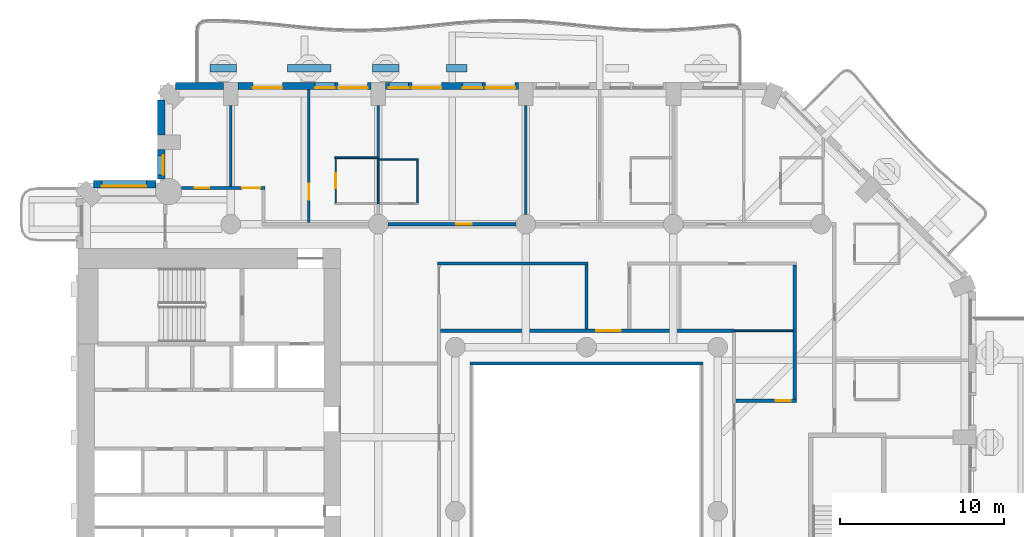
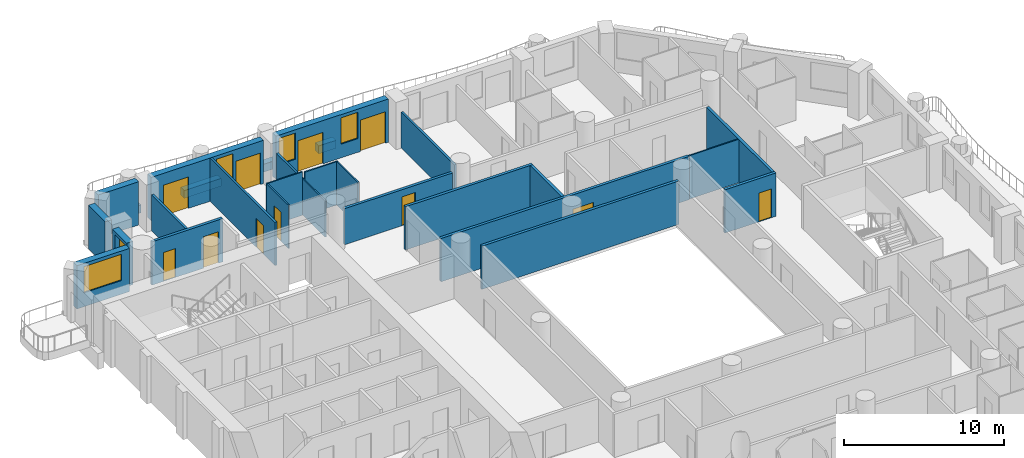
# One storey, part 8 of 20: 28 walls, 11 doors, 5 windows, 16 openings.
"""IFC4 building model written with IfcOpenShell, lengths in metres."""

from ifc_helpers import new_model, si_unit, direction, frame, frame_2d, origin, place, context, subcontext, project, spatial, rectangle, extrude, material, layer, layer_set, type_object, element, fill, save


model = new_model("IFC4")

# Units and contexts
model_context = context("Model", 3, precision=1e-05, world=origin(), true_north=direction((0.0, 1.0)))
body_context = subcontext(model_context, "Body", "Model", "MODEL_VIEW")
ifc_project = project(units=[si_unit("LENGTHUNIT", "METRE"), si_unit("AREAUNIT", "SQUARE_METRE"), si_unit("VOLUMEUNIT", "CUBIC_METRE"), si_unit("PLANEANGLEUNIT", "RADIAN"), si_unit("MASSUNIT", "GRAM", prefix="KILO")], contexts=[model_context])

# Site, building, storey
site_placement = place(None, origin())
site = spatial("IfcSite", under=ifc_project, at=site_placement, CompositionType="ELEMENT")
building_placement = place(site_placement, origin())
building = spatial("IfcBuilding", under=site, at=building_placement, Name="Cypress Arch Tower", CompositionType="ELEMENT")
storey_placement = place(building_placement, frame((0.0, 0.0, 80.699951171875)))
storey = spatial("IfcBuildingStorey", under=building, at=storey_placement, Name="L14", CompositionType="ELEMENT", Elevation=80.699951171875)

# Walls
ifc_material_1 = material(Name="Concrete C40/50, waterproofed", Category="concrete")
ifc_layer_1 = layer(ifc_material_1, 0.449951171875)
ifc_layer_set_1 = layer_set([ifc_layer_1], Name="Balcony planter wall PW450")
wall_type_1 = type_object("IfcWallType", Name="Balcony planter wall PW450", PredefinedType="SOLIDWALL", material=ifc_layer_set_1)
wall_1_placement = place(storey_placement, frame((-6.300048828125, 27.0, 0.0), z_axis=(0.0, 0.0, 1.0), x_axis=(-1.0, 0.0, 0.0)))
element("IfcWall", 1, at=wall_1_placement, inside=storey, type_object=wall_type_1, Name="Balcony planter wall L14-A08.3", PredefinedType="SOLIDWALL", context=body_context, shape_type="SweptSolid", body=[
    extrude(rectangle(XDim=1.25, YDim=0.449951171875, at=frame_2d((0.625, 0.0))), origin(), (0.0, 0.0, 1.0), 0.60009765625),
])
wall_2_placement = place(storey_placement, frame((-10.4375, 27.0, 0.0), z_axis=(0.0, 0.0, 1.0), x_axis=(-1.0, 0.0, 0.0)))
element("IfcWall", 2, at=wall_2_placement, inside=storey, type_object=wall_type_1, Name="Balcony planter wall L14-A08.4", PredefinedType="SOLIDWALL", context=body_context, shape_type="SweptSolid", body=[
    extrude(rectangle(XDim=1.612548828125, YDim=0.449951171875, at=frame_2d((0.80615234375, 0.0))), origin(), (0.0, 0.0, 1.0), 0.60009765625),
])
wall_3_placement = place(storey_placement, frame((-14.574951171875, 27.0, 0.0), z_axis=(0.0, 0.0, 1.0), x_axis=(-1.0, 0.0, 0.0)))
element("IfcWall", 3, at=wall_3_placement, inside=storey, type_object=wall_type_1, Name="Balcony planter wall L14-A08.5", PredefinedType="SOLIDWALL", context=body_context, shape_type="SweptSolid", body=[
    extrude(rectangle(XDim=2.675048828125, YDim=0.449951171875, at=frame_2d((1.33740234375, 0.0))), origin(), (0.0, 0.0, 1.0), 0.60009765625),
])
wall_4_placement = place(storey_placement, frame((-20.35009765625, 27.0, 0.0), z_axis=(0.0, 0.0, 1.0), x_axis=(-1.0, 0.0, 0.0)))
element("IfcWall", 4, at=wall_4_placement, inside=storey, type_object=wall_type_1, Name="Balcony planter wall L14-A08.6", PredefinedType="SOLIDWALL", context=body_context, shape_type="SweptSolid", body=[
    extrude(rectangle(XDim=1.599853515625, YDim=0.449951171875, at=frame_2d((0.7998046875, 0.0))), origin(), (0.0, 0.0, 1.0), 0.60009765625),
])

# Wall, openings, doors, windows
ifc_material_2 = material(Name="Brick (red buff blend)", Category="masonry")
ifc_layer_2 = layer(ifc_material_2, 0.449951171875)
ifc_layer_set_2 = layer_set([ifc_layer_2], Name="Brick pier and spandrel wall BW450")
wall_type_2 = type_object("IfcWallType", Name="Brick pier and spandrel wall BW450", PredefinedType="SOLIDWALL", material=ifc_layer_set_2)
wall_5_placement = place(storey_placement, frame((-3.14990234375, 25.925048828125, 0.0), z_axis=(0.0, 0.0, 1.0), x_axis=(-1.0, 0.0, 0.0)))
wall_5 = element("IfcWall", 5, at=wall_5_placement, inside=storey, type_object=wall_type_2, Name="Brick wall L14 A08.2", PredefinedType="SOLIDWALL", context=body_context, shape_type="SweptSolid", body=[
    extrude(rectangle(XDim=8.10009765625, YDim=0.449951171875, at=frame_2d((4.050048828125, 0.0))), origin(), (0.0, 0.0, 1.0), 3.300048828125),
])
opening_1_placement = place(wall_5_placement, frame((0.199951171875, 0.0, 0.0)))
opening_1 = element("IfcOpeningElement", 6, at=opening_1_placement, cuts=wall_5, Name="Opening D-L14-A08.2.1", PredefinedType="OPENING", context=body_context, shape_type="SweptSolid", body=[
    extrude(rectangle(XDim=1.800048828125, YDim=2.39990234375, at=frame_2d((0.89990234375, 1.199951171875))), frame((0.0, 0.23486328125, 0.0), z_axis=(0.0, -1.0, 0.0), x_axis=(1.0, 0.0, 0.0)), (0.0, 0.0, 1.0), 0.469970703125),
])
opening_2_placement = place(wall_5_placement, frame((2.199951171875, 0.0, 1.050048828125)))
opening_2 = element("IfcOpeningElement", 7, at=opening_2_placement, cuts=wall_5, Name="Opening W120HD", PredefinedType="OPENING", context=body_context, shape_type="SweptSolid", body=[
    extrude(rectangle(XDim=1.199951171875, YDim=2.0, at=frame_2d((0.60009765625, 1.0))), frame((0.0, 0.23486328125, 0.0), z_axis=(0.0, -1.0, 0.0), x_axis=(1.0, 0.0, 0.0)), (0.0, 0.0, 1.0), 0.469970703125),
])
opening_3_placement = place(wall_5_placement, frame((4.699951171875, 0.0, 0.0)))
opening_3 = element("IfcOpeningElement", 8, at=opening_3_placement, cuts=wall_5, Name="Opening D-L14-A08.2.2", PredefinedType="OPENING", context=body_context, shape_type="SweptSolid", body=[
    extrude(rectangle(XDim=1.800048828125, YDim=2.39990234375, at=frame_2d((0.89990234375, 1.199951171875))), frame((0.0, 0.23486328125, 0.0), z_axis=(0.0, -1.0, 0.0), x_axis=(1.0, 0.0, 0.0)), (0.0, 0.0, 1.0), 0.469970703125),
])
opening_4_placement = place(wall_5_placement, frame((6.699951171875, 0.0, 1.050048828125)))
opening_4 = element("IfcOpeningElement", 9, at=opening_4_placement, cuts=wall_5, Name="Opening W120HD", PredefinedType="OPENING", context=body_context, shape_type="SweptSolid", body=[
    extrude(rectangle(XDim=1.199951171875, YDim=2.0, at=frame_2d((0.60009765625, 1.0))), frame((0.0, 0.23486328125, 0.0), z_axis=(0.0, -1.0, 0.0), x_axis=(1.0, 0.0, 0.0)), (0.0, 0.0, 1.0), 0.469970703125),
])
ifc_material_3 = material(Name="Anodised aluminium, bronze finish, laminated low-emissivity double glazing, large-missile impact rated", Category="aluminium")
door_type_1 = type_object("IfcDoorType", Name="Balcony sliding door 1800x2400", OperationType="SLIDING_TO_LEFT", PredefinedType="DOOR", material=ifc_material_3)
door_1_placement = place(opening_1_placement, origin())
door_1 = element("IfcDoor", 10, at=door_1_placement, inside=storey, type_object=door_type_1, Name="Balcony door L14 A08.2.1", OperationType="SLIDING_TO_LEFT", OverallHeight=2.39990234375, OverallWidth=1.800048828125, PredefinedType="DOOR", context=body_context, shape_type="SweptSolid", body=[
    extrude(rectangle(XDim=1.800048828125, YDim=2.39990234375, at=frame_2d((0.89990234375, 1.199951171875))), frame((0.0, 0.1298828125, 0.0), z_axis=(0.0, -1.0, 0.0), x_axis=(1.0, 0.0, 0.0)), (0.0, 0.0, 1.0), 0.050048828125),
])
fill(opening_1, door_1)
door_2_placement = place(opening_3_placement, origin())
door_2 = element("IfcDoor", 11, at=door_2_placement, inside=storey, type_object=door_type_1, Name="Balcony door L14 A08.2.2", OperationType="SLIDING_TO_LEFT", OverallHeight=2.39990234375, OverallWidth=1.800048828125, PredefinedType="DOOR", context=body_context, shape_type="SweptSolid", body=[
    extrude(rectangle(XDim=1.800048828125, YDim=2.39990234375, at=frame_2d((0.89990234375, 1.199951171875))), frame((0.0, 0.1298828125, 0.0), z_axis=(0.0, -1.0, 0.0), x_axis=(1.0, 0.0, 0.0)), (0.0, 0.0, 1.0), 0.050048828125),
])
fill(opening_3, door_2)
ifc_material_4 = material(Name="Anodised aluminium, bronze finish, laminated low-emissivity double glazing, large-missile impact rated", Category="aluminium")
window_type_1 = type_object("IfcWindowType", Name="Window Hotel 1200x2000 debris-rated", PartitioningType="SINGLE_PANEL", PredefinedType="WINDOW", material=ifc_material_4)
window_1_placement = place(opening_2_placement, origin())
window_1 = element("IfcWindow", 12, at=window_1_placement, inside=storey, type_object=window_type_1, Name="Window L14 A08.2.1", OverallHeight=2.0, OverallWidth=1.199951171875, PartitioningType="SINGLE_PANEL", PredefinedType="WINDOW", context=body_context, shape_type="SweptSolid", body=[
    extrude(rectangle(XDim=1.199951171875, YDim=2.0, at=frame_2d((0.60009765625, 1.0))), frame((0.0, 0.135009765625, 0.0), z_axis=(0.0, -1.0, 0.0), x_axis=(1.0, 0.0, 0.0)), (0.0, 0.0, 1.0), 0.06005859375),
])
fill(opening_2, window_1)
window_2_placement = place(opening_4_placement, origin())
window_2 = element("IfcWindow", 13, at=window_2_placement, inside=storey, type_object=window_type_1, Name="Window L14 A08.2.2", OverallHeight=2.0, OverallWidth=1.199951171875, PartitioningType="SINGLE_PANEL", PredefinedType="WINDOW", context=body_context, shape_type="SweptSolid", body=[
    extrude(rectangle(XDim=1.199951171875, YDim=2.0, at=frame_2d((0.60009765625, 1.0))), frame((0.0, 0.135009765625, 0.0), z_axis=(0.0, -1.0, 0.0), x_axis=(1.0, 0.0, 0.0)), (0.0, 0.0, 1.0), 0.06005859375),
])
fill(opening_4, window_2)

# Wall, openings, doors, window
wall_6_placement = place(storey_placement, frame((-12.14990234375, 25.925048828125, 0.0), z_axis=(0.0, 0.0, 1.0), x_axis=(-1.0, 0.0, 0.0)))
wall_6 = element("IfcWall", 14, at=wall_6_placement, inside=storey, type_object=wall_type_2, Name="Brick wall L14 A08.3", PredefinedType="SOLIDWALL", context=body_context, shape_type="SweptSolid", body=[
    extrude(rectangle(XDim=8.10009765625, YDim=0.449951171875, at=frame_2d((4.050048828125, 0.0))), origin(), (0.0, 0.0, 1.0), 3.300048828125),
])
opening_5_placement = place(wall_6_placement, frame((0.199951171875, 0.0, 0.0)))
opening_5 = element("IfcOpeningElement", 15, at=opening_5_placement, cuts=wall_6, Name="Opening D-L14-A08.3.1", PredefinedType="OPENING", context=body_context, shape_type="SweptSolid", body=[
    extrude(rectangle(XDim=1.800048828125, YDim=2.39990234375, at=frame_2d((0.89990234375, 1.199951171875))), frame((0.0, 0.23486328125, 0.0), z_axis=(0.0, -1.0, 0.0), x_axis=(1.0, 0.0, 0.0)), (0.0, 0.0, 1.0), 0.469970703125),
])
opening_6_placement = place(wall_6_placement, frame((2.199951171875, 0.0, 1.050048828125)))
opening_6 = element("IfcOpeningElement", 16, at=opening_6_placement, cuts=wall_6, Name="Opening W120HD", PredefinedType="OPENING", context=body_context, shape_type="SweptSolid", body=[
    extrude(rectangle(XDim=1.199951171875, YDim=2.0, at=frame_2d((0.60009765625, 1.0))), frame((0.0, 0.23486328125, 0.0), z_axis=(0.0, -1.0, 0.0), x_axis=(1.0, 0.0, 0.0)), (0.0, 0.0, 1.0), 0.469970703125),
])
opening_7_placement = place(wall_6_placement, frame((5.39990234375, 0.0, 0.0)))
opening_7 = element("IfcOpeningElement", 17, at=opening_7_placement, cuts=wall_6, Name="Opening D-L14-A08.3.2", PredefinedType="OPENING", context=body_context, shape_type="SweptSolid", body=[
    extrude(rectangle(XDim=1.800048828125, YDim=2.39990234375, at=frame_2d((0.89990234375, 1.199951171875))), frame((0.0, 0.23486328125, 0.0), z_axis=(0.0, -1.0, 0.0), x_axis=(1.0, 0.0, 0.0)), (0.0, 0.0, 1.0), 0.469970703125),
])
door_3_placement = place(opening_5_placement, origin())
door_3 = element("IfcDoor", 18, at=door_3_placement, inside=storey, type_object=door_type_1, Name="Balcony door L14 A08.3.1", OperationType="SLIDING_TO_LEFT", OverallHeight=2.39990234375, OverallWidth=1.800048828125, PredefinedType="DOOR", context=body_context, shape_type="SweptSolid", body=[
    extrude(rectangle(XDim=1.800048828125, YDim=2.39990234375, at=frame_2d((0.89990234375, 1.199951171875))), frame((0.0, 0.1298828125, 0.0), z_axis=(0.0, -1.0, 0.0), x_axis=(1.0, 0.0, 0.0)), (0.0, 0.0, 1.0), 0.050048828125),
])
fill(opening_5, door_3)
door_4_placement = place(opening_7_placement, origin())
door_4 = element("IfcDoor", 19, at=door_4_placement, inside=storey, type_object=door_type_1, Name="Balcony door L14 A08.3.2", OperationType="SLIDING_TO_LEFT", OverallHeight=2.39990234375, OverallWidth=1.800048828125, PredefinedType="DOOR", context=body_context, shape_type="SweptSolid", body=[
    extrude(rectangle(XDim=1.800048828125, YDim=2.39990234375, at=frame_2d((0.89990234375, 1.199951171875))), frame((0.0, 0.1298828125, 0.0), z_axis=(0.0, -1.0, 0.0), x_axis=(1.0, 0.0, 0.0)), (0.0, 0.0, 1.0), 0.050048828125),
])
fill(opening_7, door_4)
window_3_placement = place(opening_6_placement, origin())
window_3 = element("IfcWindow", 20, at=window_3_placement, inside=storey, type_object=window_type_1, Name="Window L14 A08.3.1", OverallHeight=2.0, OverallWidth=1.199951171875, PartitioningType="SINGLE_PANEL", PredefinedType="WINDOW", context=body_context, shape_type="SweptSolid", body=[
    extrude(rectangle(XDim=1.199951171875, YDim=2.0, at=frame_2d((0.60009765625, 1.0))), frame((0.0, 0.135009765625, 0.0), z_axis=(0.0, -1.0, 0.0), x_axis=(1.0, 0.0, 0.0)), (0.0, 0.0, 1.0), 0.06005859375),
])
fill(opening_6, window_3)

# Walls
wall_7_placement = place(storey_placement, frame((-21.14990234375, 25.925048828125, 0.0), z_axis=(0.0, 0.0, 1.0), x_axis=(-1.0, 0.0, 0.0)))
element("IfcWall", 21, at=wall_7_placement, inside=storey, type_object=wall_type_2, Name="Brick wall L14 A08.4", PredefinedType="SOLIDWALL", context=body_context, shape_type="SweptSolid", body=[
    extrude(rectangle(XDim=2.913818359375, YDim=0.449951171875, at=frame_2d((1.45703125, 0.0))), origin(), (0.0, 0.0, 1.0), 3.300048828125),
])
wall_8_placement = place(storey_placement, frame((-24.925048828125, 25.063720703125, 0.0), z_axis=(0.0, 0.0, 1.0), x_axis=(0.0, -1.0, 0.0)))
element("IfcWall", 22, at=wall_8_placement, inside=storey, type_object=wall_type_2, Name="Brick wall L14 A09.0", PredefinedType="SOLIDWALL", context=body_context, shape_type="SweptSolid", body=[
    extrude(rectangle(XDim=2.11376953125, YDim=0.449951171875, at=frame_2d((1.056884765625, 0.0))), origin(), (0.0, 0.0, 1.0), 3.300048828125),
])

# Wall, opening, window
wall_9_placement = place(storey_placement, frame((-24.925048828125, 22.050048828125, 0.0), z_axis=(0.0, 0.0, 1.0), x_axis=(0.0, -1.0, 0.0)))
wall_9 = element("IfcWall", 23, at=wall_9_placement, inside=storey, type_object=wall_type_2, Name="Brick wall L14 A09.1", PredefinedType="SOLIDWALL", context=body_context, shape_type="SweptSolid", body=[
    extrude(rectangle(XDim=1.79150390625, YDim=0.449951171875, at=frame_2d((0.895751953125, 0.0))), origin(), (0.0, 0.0, 1.0), 3.300048828125),
])
opening_8_placement = place(wall_9_placement, frame((0.35009765625, 0.0, 1.050048828125)))
opening_8 = element("IfcOpeningElement", 24, at=opening_8_placement, cuts=wall_9, Name="Opening W120H", PredefinedType="OPENING", context=body_context, shape_type="SweptSolid", body=[
    extrude(rectangle(XDim=1.199951171875, YDim=2.0, at=frame_2d((0.60009765625, 1.0))), frame((0.0, 0.23486328125, 0.0), z_axis=(0.0, -1.0, 0.0), x_axis=(1.0, 0.0, 0.0)), (0.0, 0.0, 1.0), 0.469970703125),
])
ifc_material_5 = material(Name="Anodised aluminium, bronze finish, clear low-emissivity double glazing", Category="aluminium")
window_type_2 = type_object("IfcWindowType", Name="Window Hotel 1200x2000", PartitioningType="SINGLE_PANEL", PredefinedType="WINDOW", material=ifc_material_5)
window_4_placement = place(opening_8_placement, origin())
window_4 = element("IfcWindow", 25, at=window_4_placement, inside=storey, type_object=window_type_2, Name="Window L14 A09.1.1", OverallHeight=2.0, OverallWidth=1.199951171875, PartitioningType="SINGLE_PANEL", PredefinedType="WINDOW", context=body_context, shape_type="SweptSolid", body=[
    extrude(rectangle(XDim=1.199951171875, YDim=2.0, at=frame_2d((0.60009765625, 1.0))), frame((0.0, 0.135009765625, 0.0), z_axis=(0.0, -1.0, 0.0), x_axis=(1.0, 0.0, 0.0)), (0.0, 0.0, 1.0), 0.06005859375),
])
fill(opening_8, window_4)

wall_10_placement = place(storey_placement, frame((-25.258544921875, 19.925048828125, 0.0), z_axis=(0.0, 0.0, 1.0), x_axis=(-1.0, 0.0, 0.0)))
wall_10 = element("IfcWall", 26, at=wall_10_placement, inside=storey, type_object=wall_type_2, Name="Brick wall L14 A10.0", PredefinedType="SOLIDWALL", context=body_context, shape_type="SweptSolid", body=[
    extrude(rectangle(XDim=3.80517578125, YDim=0.449951171875, at=frame_2d((1.902587890625, 0.0))), origin(), (0.0, 0.0, 1.0), 3.300048828125),
])
opening_9_placement = place(wall_10_placement, frame((0.591552734375, 0.0, 1.050048828125)))
opening_9 = element("IfcOpeningElement", 27, at=opening_9_placement, cuts=wall_10, Name="Opening W270H", PredefinedType="OPENING", context=body_context, shape_type="SweptSolid", body=[
    extrude(rectangle(XDim=2.699951171875, YDim=2.0, at=frame_2d((1.35009765625, 1.0))), frame((0.0, 0.23486328125, 0.0), z_axis=(0.0, -1.0, 0.0), x_axis=(1.0, 0.0, 0.0)), (0.0, 0.0, 1.0), 0.469970703125),
])
ifc_material_6 = material(Name="Anodised aluminium, bronze finish, clear low-emissivity double glazing", Category="aluminium")
window_type_3 = type_object("IfcWindowType", Name="Window Hotel 2700x2000", PartitioningType="SINGLE_PANEL", PredefinedType="WINDOW", material=ifc_material_6)
window_5_placement = place(opening_9_placement, origin())
window_5 = element("IfcWindow", 28, at=window_5_placement, inside=storey, type_object=window_type_3, Name="Window L14 A10.0.1", OverallHeight=2.0, OverallWidth=2.699951171875, PartitioningType="SINGLE_PANEL", PredefinedType="WINDOW", context=body_context, shape_type="SweptSolid", body=[
    extrude(rectangle(XDim=2.699951171875, YDim=2.0, at=frame_2d((1.35009765625, 1.0))), frame((0.0, 0.135009765625, 0.0), z_axis=(0.0, -1.0, 0.0), x_axis=(1.0, 0.0, 0.0)), (0.0, 0.0, 1.0), 0.06005859375),
])
fill(opening_9, window_5)

# Wall, openings, doors
ifc_material_7 = material(Name="Concrete blockwork, plastered, rated", Category="masonry")
ifc_layer_3 = layer(ifc_material_7, 0.199951171875)
ifc_layer_set_3 = layer_set([ifc_layer_3], Name="Corridor wall FW200")
wall_type_3 = type_object("IfcWallType", Name="Corridor wall FW200", PredefinedType="PARTITIONING", material=ifc_layer_set_3)
wall_11_placement = place(storey_placement, frame((-23.7001953125, 19.699951171875, 0.0), z_axis=(0.0, 0.0, 1.0), x_axis=(1.0, 0.0, 0.0)))
wall_11 = element("IfcWall", 29, at=wall_11_placement, inside=storey, type_object=wall_type_3, Name="Corridor wall", PredefinedType="PARTITIONING", context=body_context, shape_type="SweptSolid", body=[
    extrude(rectangle(XDim=5.10009765625, YDim=0.199951171875, at=frame_2d((2.550048828125, 0.0))), origin(), (0.0, 0.0, 1.0), 3.300048828125),
])
opening_10_placement = place(wall_11_placement, frame((0.800048828125, 0.0, 0.0)))
opening_10 = element("IfcOpeningElement", 30, at=opening_10_placement, cuts=wall_11, Name="Opening D05", PredefinedType="OPENING", context=body_context, shape_type="SweptSolid", body=[
    extrude(rectangle(XDim=0.89990234375, YDim=2.199951171875, at=frame_2d((0.449951171875, 1.10009765625))), frame((0.0, 0.10986328125, 0.0), z_axis=(0.0, -1.0, 0.0), x_axis=(1.0, 0.0, 0.0)), (0.0, 0.0, 1.0), 0.219970703125),
])
opening_11_placement = place(wall_11_placement, frame((3.699951171875, 0.0, 0.0)))
opening_11 = element("IfcOpeningElement", 31, at=opening_11_placement, cuts=wall_11, Name="Opening D01", PredefinedType="OPENING", context=body_context, shape_type="SweptSolid", body=[
    extrude(rectangle(XDim=1.10009765625, YDim=2.39990234375, at=frame_2d((0.550048828125, 1.199951171875))), frame((0.0, 0.10986328125, 0.0), z_axis=(0.0, -1.0, 0.0), x_axis=(1.0, 0.0, 0.0)), (0.0, 0.0, 1.0), 0.219970703125),
])
ifc_material_8 = material(Name="Timber flush door", Category="wood")
door_type_2 = type_object("IfcDoorType", Name="Service door D05 900x2200", OperationType="SINGLE_SWING_LEFT", PredefinedType="DOOR", material=ifc_material_8)
door_5_placement = place(opening_10_placement, origin())
door_5 = element("IfcDoor", 32, at=door_5_placement, inside=storey, type_object=door_type_2, Name="Service door", OperationType="SINGLE_SWING_LEFT", OverallHeight=2.199951171875, OverallWidth=0.89990234375, PredefinedType="DOOR", context=body_context, shape_type="SweptSolid", body=[
    extrude(rectangle(XDim=0.89990234375, YDim=2.199951171875, at=frame_2d((0.449951171875, 1.10009765625))), frame((0.0, 0.02490234375, 0.0), z_axis=(0.0, -1.0, 0.0), x_axis=(1.0, 0.0, 0.0)), (0.0, 0.0, 1.0), 0.050048828125),
])
fill(opening_10, door_5)
ifc_material_9 = material(Name="Timber flush door, fire resisting, self-closing", Category="wood")
door_type_3 = type_object("IfcDoorType", Name="Unit entrance door D01 1100x2400", OperationType="SINGLE_SWING_LEFT", PredefinedType="DOOR", material=ifc_material_9)
door_6_placement = place(opening_11_placement, origin())
door_6 = element("IfcDoor", 33, at=door_6_placement, inside=storey, type_object=door_type_3, Name="Unit entrance door", OperationType="SINGLE_SWING_LEFT", OverallHeight=2.39990234375, OverallWidth=1.10009765625, PredefinedType="DOOR", context=body_context, shape_type="SweptSolid", body=[
    extrude(rectangle(XDim=1.10009765625, YDim=2.39990234375, at=frame_2d((0.550048828125, 1.199951171875))), frame((0.0, 0.02490234375, 0.0), z_axis=(0.0, -1.0, 0.0), x_axis=(1.0, 0.0, 0.0)), (0.0, 0.0, 1.0), 0.050048828125),
])
fill(opening_11, door_6)

# Wall, opening, door
wall_12_placement = place(storey_placement, frame((-11.10009765625, 17.5, 0.0), z_axis=(0.0, 0.0, 1.0), x_axis=(1.0, 0.0, 0.0)))
wall_12 = element("IfcWall", 34, at=wall_12_placement, inside=storey, type_object=wall_type_3, Name="Corridor wall", PredefinedType="PARTITIONING", context=body_context, shape_type="SweptSolid", body=[
    extrude(rectangle(XDim=7.800048828125, YDim=0.199951171875, at=frame_2d((3.89990234375, 0.0))), origin(), (0.0, 0.0, 1.0), 2.75),
])
opening_12_placement = place(wall_12_placement, frame((4.14990234375, 0.0, 0.0)))
opening_12 = element("IfcOpeningElement", 35, at=opening_12_placement, cuts=wall_12, Name="Opening D02", PredefinedType="OPENING", context=body_context, shape_type="SweptSolid", body=[
    extrude(rectangle(XDim=0.949951171875, YDim=2.199951171875, at=frame_2d((0.47509765625, 1.10009765625))), frame((0.0, 0.10986328125, 0.0), z_axis=(0.0, -1.0, 0.0), x_axis=(1.0, 0.0, 0.0)), (0.0, 0.0, 1.0), 0.219970703125),
])
ifc_material_10 = material(Name="Timber flush door, fire resisting", Category="wood")
door_type_4 = type_object("IfcDoorType", Name="Room door D02 950x2200", OperationType="SINGLE_SWING_LEFT", PredefinedType="DOOR", material=ifc_material_10)
door_7_placement = place(opening_12_placement, origin())
door_7 = element("IfcDoor", 36, at=door_7_placement, inside=storey, type_object=door_type_4, Name="Room door", OperationType="SINGLE_SWING_RIGHT", OverallHeight=2.199951171875, OverallWidth=0.949951171875, PredefinedType="DOOR", context=body_context, shape_type="SweptSolid", body=[
    extrude(rectangle(XDim=0.949951171875, YDim=2.199951171875, at=frame_2d((0.47509765625, 1.10009765625))), frame((0.0, 0.02490234375, 0.0), z_axis=(0.0, -1.0, 0.0), x_axis=(1.0, 0.0, 0.0)), (0.0, 0.0, 1.0), 0.050048828125),
])
fill(opening_12, door_7)

wall_13_placement = place(storey_placement, frame((-7.89990234375, 11.0, 0.0), z_axis=(0.0, 0.0, 1.0), x_axis=(1.0, 0.0, 0.0)))
wall_13 = element("IfcWall", 37, at=wall_13_placement, inside=storey, type_object=wall_type_3, Name="Corridor wall", PredefinedType="PARTITIONING", context=body_context, shape_type="SweptSolid", body=[
    extrude(rectangle(XDim=17.89990234375, YDim=0.199951171875, at=frame_2d((8.949951171875, 0.0))), origin(), (0.0, 0.0, 1.0), 3.300048828125),
])
opening_13_placement = place(wall_13_placement, frame((9.5, 0.0, 0.0)))
opening_13 = element("IfcOpeningElement", 38, at=opening_13_placement, cuts=wall_13, Name="Opening D04", PredefinedType="OPENING", context=body_context, shape_type="SweptSolid", body=[
    extrude(rectangle(XDim=1.5, YDim=2.199951171875, at=frame_2d((0.75, 1.10009765625))), frame((0.0, 0.10986328125, 0.0), z_axis=(0.0, -1.0, 0.0), x_axis=(1.0, 0.0, 0.0)), (0.0, 0.0, 1.0), 0.219970703125),
])
ifc_material_11 = material(Name="Timber double door", Category="wood")
door_type_5 = type_object("IfcDoorType", Name="Double door D04 1500x2200", OperationType="DOUBLE_DOOR_SINGLE_SWING", PredefinedType="DOOR", material=ifc_material_11)
door_8_placement = place(opening_13_placement, origin())
door_8 = element("IfcDoor", 39, at=door_8_placement, inside=storey, type_object=door_type_5, Name="Double door", OperationType="DOUBLE_DOOR_SINGLE_SWING", OverallHeight=2.199951171875, OverallWidth=1.5, PredefinedType="DOOR", context=body_context, shape_type="SweptSolid", body=[
    extrude(rectangle(XDim=1.5, YDim=2.199951171875, at=frame_2d((0.75, 1.10009765625))), frame((0.0, 0.02490234375, 0.0), z_axis=(0.0, -1.0, 0.0), x_axis=(1.0, 0.0, 0.0)), (0.0, 0.0, 1.0), 0.050048828125),
])
fill(opening_13, door_8)

# Walls
wall_14_placement = place(storey_placement, frame((-8.10009765625, 15.10009765625, 0.0), z_axis=(0.0, 0.0, 1.0), x_axis=(1.0, 0.0, 0.0)))
element("IfcWall", 40, at=wall_14_placement, inside=storey, type_object=wall_type_3, Name="Corridor wall", PredefinedType="PARTITIONING", context=body_context, shape_type="SweptSolid", body=[
    extrude(rectangle(XDim=9.2001953125, YDim=0.199951171875, at=frame_2d((4.60009765625, 0.0))), origin(), (0.0, 0.0, 1.0), 3.300048828125),
])
wall_15_placement = place(storey_placement, frame((-6.10009765625, 9.0, 0.0), z_axis=(0.0, 0.0, 1.0), x_axis=(1.0, 0.0, 0.0)))
element("IfcWall", 41, at=wall_15_placement, inside=storey, type_object=wall_type_3, Name="Corridor wall", PredefinedType="PARTITIONING", context=body_context, shape_type="SweptSolid", body=[
    extrude(rectangle(XDim=14.2001953125, YDim=0.199951171875, at=frame_2d((7.10009765625, 0.0))), origin(), (0.0, 0.0, 1.0), 3.300048828125),
])
wall_16_placement = place(storey_placement, frame((1.0, 11.10009765625, 0.0), z_axis=(0.0, 0.0, 1.0), x_axis=(0.0, 1.0, 0.0)))
element("IfcWall", 42, at=wall_16_placement, inside=storey, type_object=wall_type_3, Name="Corridor wall", PredefinedType="PARTITIONING", context=body_context, shape_type="SweptSolid", body=[
    extrude(rectangle(XDim=3.89990234375, YDim=0.199951171875, at=frame_2d((1.949951171875, 0.0))), origin(), (0.0, 0.0, 1.0), 3.300048828125),
])

# Wall, opening, door
wall_17_placement = place(storey_placement, frame((10.10009765625, 6.72509765625, 0.0), z_axis=(0.0, 0.0, 1.0), x_axis=(1.0, 0.0, 0.0)))
wall_17 = element("IfcWall", 43, at=wall_17_placement, inside=storey, type_object=wall_type_3, Name="Corridor wall", PredefinedType="PARTITIONING", context=body_context, shape_type="SweptSolid", body=[
    extrude(rectangle(XDim=3.699951171875, YDim=0.199951171875, at=frame_2d((1.85009765625, 0.0))), origin(), (0.0, 0.0, 1.0), 3.300048828125),
])
opening_14_placement = place(wall_17_placement, frame((2.449951171875, 0.0, 0.0)))
opening_14 = element("IfcOpeningElement", 44, at=opening_14_placement, cuts=wall_17, Name="Opening D03", PredefinedType="OPENING", context=body_context, shape_type="SweptSolid", body=[
    extrude(rectangle(XDim=0.89990234375, YDim=2.199951171875, at=frame_2d((0.449951171875, 1.10009765625))), frame((0.0, 0.10986328125, 0.0), z_axis=(0.0, -1.0, 0.0), x_axis=(1.0, 0.0, 0.0)), (0.0, 0.0, 1.0), 0.219970703125),
])
ifc_material_12 = material(Name="Timber flush door, moisture resistant", Category="wood")
door_type_6 = type_object("IfcDoorType", Name="Bathroom door D03 900x2200", OperationType="SINGLE_SWING_LEFT", PredefinedType="DOOR", material=ifc_material_12)
door_9_placement = place(opening_14_placement, origin())
door_9 = element("IfcDoor", 45, at=door_9_placement, inside=storey, type_object=door_type_6, Name="Bathroom door", OperationType="SINGLE_SWING_RIGHT", OverallHeight=2.199951171875, OverallWidth=0.89990234375, PredefinedType="DOOR", context=body_context, shape_type="SweptSolid", body=[
    extrude(rectangle(XDim=0.89990234375, YDim=2.199951171875, at=frame_2d((0.449951171875, 1.10009765625))), frame((0.0, 0.02490234375, 0.0), z_axis=(0.0, -1.0, 0.0), x_axis=(1.0, 0.0, 0.0)), (0.0, 0.0, 1.0), 0.050048828125),
])
fill(opening_14, door_9)

# Walls
wall_18_placement = place(storey_placement, frame((13.699951171875, 6.824951171875, 0.0), z_axis=(0.0, 0.0, 1.0), x_axis=(0.0, 1.0, 0.0)))
element("IfcWall", 46, at=wall_18_placement, inside=storey, type_object=wall_type_3, Name="Corridor wall", PredefinedType="PARTITIONING", context=body_context, shape_type="SweptSolid", body=[
    extrude(rectangle(XDim=8.175048828125, YDim=0.199951171875, at=frame_2d((4.08740234375, 0.0))), origin(), (0.0, 0.0, 1.0), 3.300048828125),
])
ifc_material_13 = material(Name="Blockwork, plastered both sides", Category="masonry")
ifc_layer_4 = layer(ifc_material_13, 0.14990234375)
ifc_layer_set_4 = layer_set([ifc_layer_4], Name="Partition PW150")
wall_type_4 = type_object("IfcWallType", Name="Partition PW150", PredefinedType="PARTITIONING", material=ifc_layer_set_4)
wall_19_placement = place(storey_placement, frame((-20.699951171875, 19.800048828125, 0.0), z_axis=(0.0, 0.0, 1.0), x_axis=(0.0, 1.0, 0.0)))
element("IfcWall", 47, at=wall_19_placement, inside=storey, type_object=wall_type_4, Name="Partition", PredefinedType="PARTITIONING", context=body_context, shape_type="SweptSolid", body=[
    extrude(rectangle(XDim=4.949951171875, YDim=0.14990234375, at=frame_2d((2.47509765625, 0.0))), origin(), (0.0, 0.0, 1.0), 2.75),
])

# Wall, opening, door
wall_20_placement = place(storey_placement, frame((-15.930908203125, 17.60009765625, 0.0), z_axis=(0.0, 0.0, 1.0), x_axis=(0.0, 1.0, 0.0)))
wall_20 = element("IfcWall", 48, at=wall_20_placement, inside=storey, type_object=wall_type_4, Name="Partition", PredefinedType="PARTITIONING", context=body_context, shape_type="SweptSolid", body=[
    extrude(rectangle(XDim=8.099853515625, YDim=0.14990234375, at=frame_2d((4.0498046875, 0.0))), origin(), (0.0, 0.0, 1.0), 3.300048828125),
])
opening_15_placement = place(wall_20_placement, frame((1.39990234375, 0.0, 0.0)))
opening_15 = element("IfcOpeningElement", 49, at=opening_15_placement, cuts=wall_20, Name="Opening D12", PredefinedType="OPENING", context=body_context, shape_type="SweptSolid", body=[
    extrude(rectangle(XDim=0.949951171875, YDim=2.199951171875, at=frame_2d((0.47509765625, 1.10009765625))), frame((0.0, 0.0849609375, 0.0), z_axis=(0.0, -1.0, 0.0), x_axis=(1.0, 0.0, 0.0)), (0.0, 0.0, 1.0), 0.169921875),
])
ifc_material_14 = material(Name="Timber flush door", Category="wood")
door_type_7 = type_object("IfcDoorType", Name="Room door D12 950x2200", OperationType="SINGLE_SWING_LEFT", PredefinedType="DOOR", material=ifc_material_14)
door_10_placement = place(opening_15_placement, origin())
door_10 = element("IfcDoor", 50, at=door_10_placement, inside=storey, type_object=door_type_7, Name="Room door", OperationType="SINGLE_SWING_LEFT", OverallHeight=2.199951171875, OverallWidth=0.949951171875, PredefinedType="DOOR", context=body_context, shape_type="SweptSolid", body=[
    extrude(rectangle(XDim=0.949951171875, YDim=2.199951171875, at=frame_2d((0.47509765625, 1.10009765625))), frame((0.0, 0.02490234375, 0.0), z_axis=(0.0, -1.0, 0.0), x_axis=(1.0, 0.0, 0.0)), (0.0, 0.0, 1.0), 0.050048828125),
])
fill(opening_15, door_10)

# Walls
wall_21_placement = place(storey_placement, frame((-11.699951171875, 21.550048828125, 0.0), z_axis=(0.0, 0.0, 1.0), x_axis=(0.0, 1.0, 0.0)))
element("IfcWall", 51, at=wall_21_placement, inside=storey, type_object=wall_type_4, Name="Partition", PredefinedType="PARTITIONING", context=body_context, shape_type="SweptSolid", body=[
    extrude(rectangle(XDim=3.199951171875, YDim=0.14990234375, at=frame_2d((1.60009765625, 0.0))), origin(), (0.0, 0.0, 1.0), 2.75),
])
wall_22_placement = place(storey_placement, frame((-2.699951171875, 18.10009765625, 0.0), z_axis=(0.0, 0.0, 1.0), x_axis=(0.0, 1.0, 0.0)))
element("IfcWall", 52, at=wall_22_placement, inside=storey, type_object=wall_type_4, Name="Partition", PredefinedType="PARTITIONING", context=body_context, shape_type="SweptSolid", body=[
    extrude(rectangle(XDim=6.64990234375, YDim=0.14990234375, at=frame_2d((3.324951171875, 0.0))), origin(), (0.0, 0.0, 1.0), 2.75),
])

# Wall, opening, door
ifc_material_15 = material(Name="Moisture resistant board on steel studs, tiled", Category="steel")
ifc_layer_5 = layer(ifc_material_15, 0.10009765625)
ifc_layer_set_5 = layer_set([ifc_layer_5], Name="Wet wall PW100")
wall_type_5 = type_object("IfcWallType", Name="Wet wall PW100", PredefinedType="PARTITIONING", material=ifc_layer_set_5)
wall_23_placement = place(storey_placement, frame((-14.2958984375, 18.800048828125, 0.0), z_axis=(0.0, 0.0, 1.0), x_axis=(0.0, 1.0, 0.0)))
wall_23 = element("IfcWall", 53, at=wall_23_placement, inside=storey, type_object=wall_type_5, Name="Wet wall", PredefinedType="PARTITIONING", context=body_context, shape_type="SweptSolid", body=[
    extrude(rectangle(XDim=2.699951171875, YDim=0.10009765625, at=frame_2d((1.35009765625, 0.0))), origin(), (0.0, 0.0, 1.0), 3.300048828125),
])
opening_16_placement = place(wall_23_placement, frame((0.89990234375, 0.0, 0.0)))
opening_16 = element("IfcOpeningElement", 54, at=opening_16_placement, cuts=wall_23, Name="Opening D03", PredefinedType="OPENING", context=body_context, shape_type="SweptSolid", body=[
    extrude(rectangle(XDim=0.89990234375, YDim=2.199951171875, at=frame_2d((0.449951171875, 1.10009765625))), frame((0.0, 0.06005859375, 0.0), z_axis=(0.0, -1.0, 0.0), x_axis=(1.0, 0.0, 0.0)), (0.0, 0.0, 1.0), 0.1201171875),
])
door_11_placement = place(opening_16_placement, origin())
door_11 = element("IfcDoor", 55, at=door_11_placement, inside=storey, type_object=door_type_6, Name="Bathroom door", OperationType="SINGLE_SWING_LEFT", OverallHeight=2.199951171875, OverallWidth=0.89990234375, PredefinedType="DOOR", context=body_context, shape_type="SweptSolid", body=[
    extrude(rectangle(XDim=0.89990234375, YDim=2.199951171875, at=frame_2d((0.449951171875, 1.10009765625))), frame((0.0, 0.02490234375, 0.0), z_axis=(0.0, -1.0, 0.0), x_axis=(1.0, 0.0, 0.0)), (0.0, 0.0, 1.0), 0.050048828125),
])
fill(opening_16, door_11)

# Walls
wall_24_placement = place(storey_placement, frame((-14.345947265625, 21.550048828125, 0.0), z_axis=(0.0, 0.0, 1.0), x_axis=(1.0, 0.0, 0.0)))
element("IfcWall", 56, at=wall_24_placement, inside=storey, type_object=wall_type_5, Name="Wet wall", PredefinedType="PARTITIONING", context=body_context, shape_type="SweptSolid", body=[
    extrude(rectangle(XDim=2.595947265625, YDim=0.10009765625, at=frame_2d((1.2978515625, 0.0))), origin(), (0.0, 0.0, 1.0), 3.300048828125),
])
wall_25_placement = place(storey_placement, frame((-11.699951171875, 18.72998046875, 0.0), z_axis=(0.0, 0.0, 1.0), x_axis=(0.0, 1.0, 0.0)))
element("IfcWall", 57, at=wall_25_placement, inside=storey, type_object=wall_type_5, Name="Wet wall", PredefinedType="PARTITIONING", context=body_context, shape_type="SweptSolid", body=[
    extrude(rectangle(XDim=2.820068359375, YDim=0.10009765625, at=frame_2d((1.41015625, 0.0))), origin(), (0.0, 0.0, 1.0), 2.75),
])
wall_26_placement = place(storey_placement, frame((-11.64990234375, 21.449951171875, 0.0), z_axis=(0.0, 0.0, 1.0), x_axis=(1.0, 0.0, 0.0)))
element("IfcWall", 58, at=wall_26_placement, inside=storey, type_object=wall_type_5, Name="Wet wall", PredefinedType="PARTITIONING", context=body_context, shape_type="SweptSolid", body=[
    extrude(rectangle(XDim=2.39599609375, YDim=0.10009765625, at=frame_2d((1.197998046875, 0.0))), origin(), (0.0, 0.0, 1.0), 3.300048828125),
])
wall_27_placement = place(storey_placement, frame((-9.303955078125, 18.800048828125, 0.0), z_axis=(0.0, 0.0, 1.0), x_axis=(0.0, 1.0, 0.0)))
element("IfcWall", 59, at=wall_27_placement, inside=storey, type_object=wall_type_5, Name="Wet wall", PredefinedType="PARTITIONING", context=body_context, shape_type="SweptSolid", body=[
    extrude(rectangle(XDim=2.599853515625, YDim=0.10009765625, at=frame_2d((1.2998046875, 0.0))), origin(), (0.0, 0.0, 1.0), 3.300048828125),
])
wall_28_placement = place(storey_placement, frame((10.0, 11.0, 0.0), z_axis=(0.0, 0.0, 1.0), x_axis=(1.0, 0.0, 0.0)))
element("IfcWall", 60, at=wall_28_placement, inside=storey, type_object=wall_type_5, Name="Wet wall", PredefinedType="PARTITIONING", context=body_context, shape_type="SweptSolid", body=[
    extrude(rectangle(XDim=3.60009765625, YDim=0.10009765625, at=frame_2d((1.800048828125, 0.0))), origin(), (0.0, 0.0, 1.0), 3.300048828125),
])

save(model, "model.ifc")
